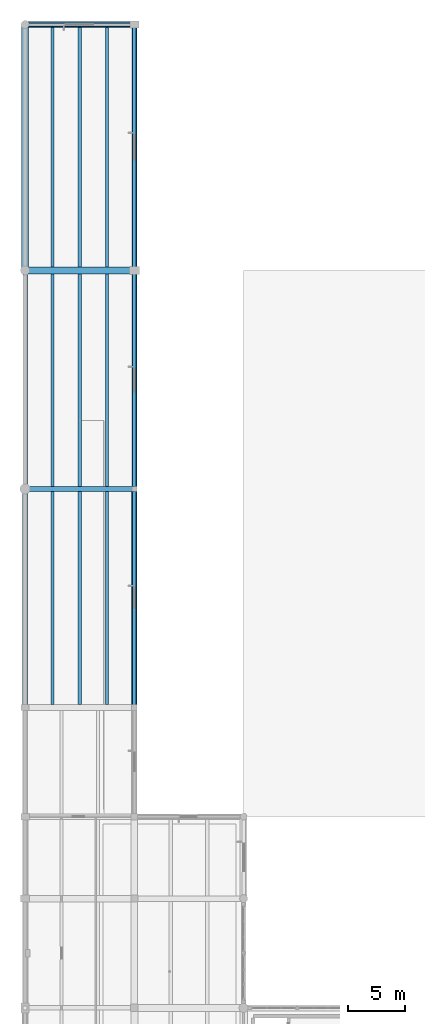
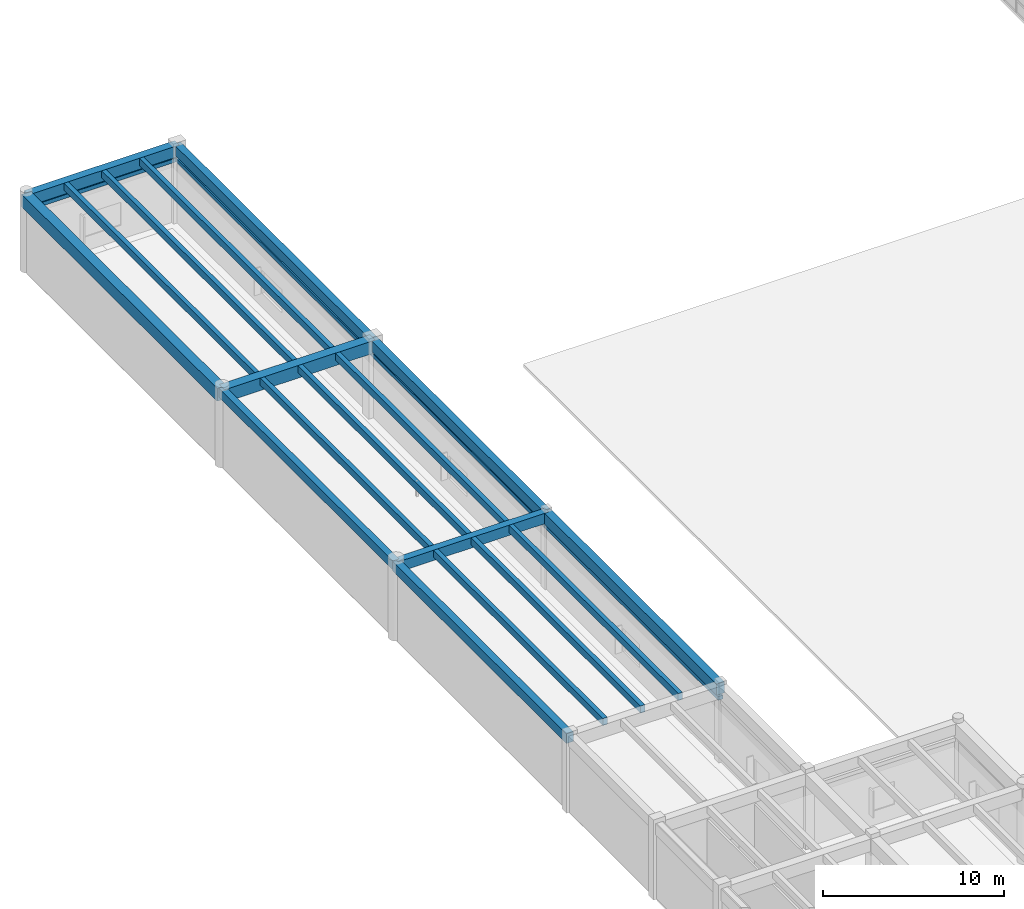
# One storey, part 30 of 138: 22 beams.
"""IFC4 building model written with IfcOpenShell, lengths in metres."""

from ifc_helpers import new_model, si_unit, direction, frame, origin, origin_2d, place, context, subcontext, project, spatial, rectangle, extrude, material, material_profile, profile_set, type_object, element, save


model = new_model("IFC4")

# Units and contexts
model_context = context("Model", 3, precision=1e-05, world=origin(), true_north=direction((0.0, 1.0)))
body_context = subcontext(model_context, "Body", "Model", "MODEL_VIEW")
ifc_project = project(units=[si_unit("LENGTHUNIT", "METRE"), si_unit("AREAUNIT", "SQUARE_METRE"), si_unit("VOLUMEUNIT", "CUBIC_METRE"), si_unit("PLANEANGLEUNIT", "RADIAN"), si_unit("MASSUNIT", "GRAM", prefix="KILO")], contexts=[model_context])

# Site, building, storey
site_placement = place(None, origin())
site = spatial("IfcSite", under=ifc_project, at=site_placement, CompositionType="ELEMENT")
building_placement = place(site_placement, origin())
building = spatial("IfcBuilding", under=site, at=building_placement, Name="Fikremerkos Civic Library", CompositionType="ELEMENT")
storey_placement = place(building_placement, origin())
storey = spatial("IfcBuildingStorey", under=building, at=storey_placement, Name="L00", CompositionType="ELEMENT", Elevation=0.0)

# Beams
ifc_material = material(Name="Concrete C40/50", Category="concrete")
ifc_material_profile_1 = material_profile(ifc_material, rectangle(XDim=0.280029296875, YDim=0.47998046875, at=origin_2d()), Name="RC 280x480")
ifc_profile_set_1 = profile_set([ifc_material_profile_1], Name="Concrete C40/50")
beam_type_1 = type_object("IfcBeamType", Name="Floor joist JS-04 RC 280x480", PredefinedType="JOIST", material=ifc_profile_set_1)
for number, where, z_axis, x_axis, name in (
    (1, (2.39990234375, 57.875, 4.919921875), (0.0, 1.0, 0.0), (-1.0, 0.0, 0.0), "Floor joist JS-04 L00 #281"),
    (2, (4.800048828125, 57.875, 4.919921875), (0.0, 1.0, 0.0), (-1.0, 0.0, 0.0), "Floor joist JS-04 L00 #282"),
    (3, (7.199951171875, 57.875, 4.919921875), (0.0, 1.0, 0.0), (-1.0, 0.0, 0.0), "Floor joist JS-04 L00 #283"),
):
    element("IfcBeam", number, at=place(storey_placement, frame(where, z_axis=z_axis, x_axis=x_axis)), inside=storey, type_object=beam_type_1, Name=name, PredefinedType="JOIST", context=body_context, shape_type="SweptSolid", body=[
        extrude(rectangle(XDim=0.280029296875, YDim=0.47998046875, at=origin_2d()), origin(), (0.0, 0.0, 1.0), 18.699951171875),
    ])
for number, where, z_axis, x_axis, name in (
    (4, (2.39990234375, 77.02490234375, 4.919921875), (0.0, 1.0, 0.0), (-1.0, 0.0, 0.0), "Floor joist JS-04 L00 #284"),
    (5, (4.800048828125, 77.02490234375, 4.919921875), (0.0, 1.0, 0.0), (-1.0, 0.0, 0.0), "Floor joist JS-04 L00 #285"),
    (6, (7.199951171875, 77.02490234375, 4.919921875), (0.0, 1.0, 0.0), (-1.0, 0.0, 0.0), "Floor joist JS-04 L00 #286"),
):
    element("IfcBeam", number, at=place(storey_placement, frame(where, z_axis=z_axis, x_axis=x_axis)), inside=storey, type_object=beam_type_1, Name=name, PredefinedType="JOIST", context=body_context, shape_type="SweptSolid", body=[
        extrude(rectangle(XDim=0.280029296875, YDim=0.47998046875, at=origin_2d()), origin(), (0.0, 0.0, 1.0), 18.675048828125),
    ])
for number, where, z_axis, x_axis, name in (
    (7, (2.39990234375, 96.300048828125, 4.919921875), (0.0, 1.0, 0.0), (-1.0, 0.0, 0.0), "Floor joist JS-04 L00 #287"),
    (8, (4.800048828125, 96.300048828125, 4.919921875), (0.0, 1.0, 0.0), (-1.0, 0.0, 0.0), "Floor joist JS-04 L00 #288"),
    (9, (7.199951171875, 96.300048828125, 4.919921875), (0.0, 1.0, 0.0), (-1.0, 0.0, 0.0), "Floor joist JS-04 L00 #289"),
):
    element("IfcBeam", number, at=place(storey_placement, frame(where, z_axis=z_axis, x_axis=x_axis)), inside=storey, type_object=beam_type_1, Name=name, PredefinedType="JOIST", context=body_context, shape_type="SweptSolid", body=[
        extrude(rectangle(XDim=0.280029296875, YDim=0.47998046875, at=origin_2d()), origin(), (0.0, 0.0, 1.0), 21.050048828125),
    ])
ifc_material_profile_2 = material_profile(ifc_material, rectangle(XDim=0.300048828125, YDim=0.260009765625, at=origin_2d()), Name="RC 300x260")
ifc_profile_set_2 = profile_set([ifc_material_profile_2], Name="Concrete C40/50")
beam_type_2 = type_object("IfcBeamType", Name="Opening lintel LNT-02 RC 300x260", PredefinedType="LINTEL", material=ifc_profile_set_2)
beam_1_placement = place(storey_placement, frame((0.0, 117.60009765625, 4.14990234375), z_axis=(1.0, 0.0, 0.0), x_axis=(0.0, 1.0, 0.0)))
element("IfcBeam", 10, at=beam_1_placement, inside=storey, type_object=beam_type_2, Name="Courtyard window head lintel LNT-02 L00 #1", PredefinedType="LINTEL", context=body_context, shape_type="SweptSolid", body=[
    extrude(rectangle(XDim=0.300048828125, YDim=0.260009765625, at=origin_2d()), origin(), (0.0, 0.0, 1.0), 9.60009765625),
])
beam_2_placement = place(storey_placement, frame((9.60009765625, 117.60009765625, 4.14990234375), z_axis=(0.0, -1.0, 0.0), x_axis=(1.0, 0.0, 0.0)))
element("IfcBeam", 11, at=beam_2_placement, inside=storey, type_object=beam_type_2, Name="Courtyard window head lintel LNT-02 L00 #2", PredefinedType="LINTEL", context=body_context, shape_type="SweptSolid", body=[
    extrude(rectangle(XDim=0.300048828125, YDim=0.260009765625, at=origin_2d()), origin(), (0.0, 0.0, 1.0), 21.60009765625),
])
for number, where, z_axis, x_axis, name in (
    (12, (9.60009765625, 96.0, 4.14990234375), (0.0, -1.0, 0.0), (1.0, 0.0, 0.0), "Courtyard window head lintel LNT-02 L00 #3"),
    (13, (9.60009765625, 76.800048828125, 4.14990234375), (0.0, -1.0, 0.0), (1.0, 0.0, 0.0), "Courtyard window head lintel LNT-02 L00 #4"),
):
    element("IfcBeam", number, at=place(storey_placement, frame(where, z_axis=z_axis, x_axis=x_axis)), inside=storey, type_object=beam_type_2, Name=name, PredefinedType="LINTEL", context=body_context, shape_type="SweptSolid", body=[
        extrude(rectangle(XDim=0.300048828125, YDim=0.260009765625, at=origin_2d()), origin(), (0.0, 0.0, 1.0), 19.199951171875),
    ])
ifc_material_profile_3 = material_profile(ifc_material, rectangle(XDim=0.5, YDim=0.75, at=origin_2d()), Name="RC 500x750")
ifc_profile_set_3 = profile_set([ifc_material_profile_3], Name="Concrete C40/50")
beam_type_3 = type_object("IfcBeamType", Name="Primary girder BM-05 RC 500x750", PredefinedType="BEAM", material=ifc_profile_set_3)
beam_3_placement = place(storey_placement, frame((0.0, 117.60009765625, 4.784912109375), z_axis=(1.0, 0.0, 0.0), x_axis=(0.0, 1.0, 0.0)))
element("IfcBeam", 14, at=beam_3_placement, inside=storey, type_object=beam_type_3, Name="Primary girder BM-05 L00 grid N", PredefinedType="BEAM", context=body_context, shape_type="SweptSolid", body=[
    extrude(rectangle(XDim=0.5, YDim=0.75, at=origin_2d()), origin(), (0.0, 0.0, 1.0), 9.60009765625),
])
beam_4_placement = place(storey_placement, frame((9.60009765625, 57.60009765625, 4.784912109375), z_axis=(0.0, 1.0, 0.0), x_axis=(-1.0, 0.0, 0.0)))
element("IfcBeam", 15, at=beam_4_placement, inside=storey, type_object=beam_type_3, Name="Primary girder BM-05 L00 grid 2", PredefinedType="BEAM", context=body_context, shape_type="SweptSolid", body=[
    extrude(rectangle(XDim=0.5, YDim=0.75, at=origin_2d()), origin(), (0.0, 0.0, 1.0), 19.199951171875),
])
ifc_material_profile_4 = material_profile(ifc_material, rectangle(XDim=0.449951171875, YDim=0.699951171875, at=origin_2d()), Name="RC 450x700")
ifc_profile_set_4 = profile_set([ifc_material_profile_4], Name="Concrete C40/50")
beam_type_4 = type_object("IfcBeamType", Name="Primary girder BM-06 RC 450x700", PredefinedType="BEAM", material=ifc_profile_set_4)
beam_5_placement = place(storey_placement, frame((0.0, 76.800048828125, 4.81005859375), z_axis=(1.0, 0.0, 0.0), x_axis=(0.0, 1.0, 0.0)))
element("IfcBeam", 16, at=beam_5_placement, inside=storey, type_object=beam_type_4, Name="Primary girder BM-06 L00 grid L", PredefinedType="BEAM", context=body_context, shape_type="SweptSolid", body=[
    extrude(rectangle(XDim=0.449951171875, YDim=0.699951171875, at=origin_2d()), origin(), (0.0, 0.0, 1.0), 9.60009765625),
])
beam_6_placement = place(storey_placement, frame((9.60009765625, 76.800048828125, 4.81005859375), z_axis=(0.0, 1.0, 0.0), x_axis=(-1.0, 0.0, 0.0)))
element("IfcBeam", 17, at=beam_6_placement, inside=storey, type_object=beam_type_4, Name="Primary girder BM-06 L00 grid 2", PredefinedType="BEAM", context=body_context, shape_type="SweptSolid", body=[
    extrude(rectangle(XDim=0.449951171875, YDim=0.699951171875, at=origin_2d()), origin(), (0.0, 0.0, 1.0), 19.199951171875),
])
ifc_material_profile_5 = material_profile(ifc_material, rectangle(XDim=0.449951171875, YDim=0.64990234375, at=origin_2d()), Name="RC 450x650")
ifc_profile_set_5 = profile_set([ifc_material_profile_5], Name="Concrete C40/50")
beam_type_5 = type_object("IfcBeamType", Name="Primary girder BM-07 RC 450x650", PredefinedType="BEAM", material=ifc_profile_set_5)
beam_7_placement = place(storey_placement, frame((0.0, 57.60009765625, 4.8349609375), z_axis=(0.0, 1.0, 0.0), x_axis=(-1.0, 0.0, 0.0)))
element("IfcBeam", 18, at=beam_7_placement, inside=storey, type_object=beam_type_5, Name="Primary girder BM-07 L00 grid 1", PredefinedType="BEAM", context=body_context, shape_type="SweptSolid", body=[
    extrude(rectangle(XDim=0.449951171875, YDim=0.64990234375, at=origin_2d()), origin(), (0.0, 0.0, 1.0), 19.199951171875),
])
beam_8_placement = place(storey_placement, frame((9.60009765625, 96.0, 4.8349609375), z_axis=(0.0, 1.0, 0.0), x_axis=(-1.0, 0.0, 0.0)))
element("IfcBeam", 19, at=beam_8_placement, inside=storey, type_object=beam_type_5, Name="Primary girder BM-07 L00 grid 2", PredefinedType="BEAM", context=body_context, shape_type="SweptSolid", body=[
    extrude(rectangle(XDim=0.449951171875, YDim=0.64990234375, at=origin_2d()), origin(), (0.0, 0.0, 1.0), 21.60009765625),
])
ifc_material_profile_6 = material_profile(ifc_material, rectangle(XDim=0.39990234375, YDim=0.60009765625, at=origin_2d()), Name="RC 400x600")
ifc_profile_set_6 = profile_set([ifc_material_profile_6], Name="Concrete C40/50")
beam_type_6 = type_object("IfcBeamType", Name="Primary girder BM-08 RC 400x600", PredefinedType="BEAM", material=ifc_profile_set_6)
beam_9_placement = place(storey_placement, frame((0.0, 76.800048828125, 4.860107421875), z_axis=(0.0, 1.0, 0.0), x_axis=(-1.0, 0.0, 0.0)))
element("IfcBeam", 20, at=beam_9_placement, inside=storey, type_object=beam_type_6, Name="Primary girder BM-08 L00 grid 1", PredefinedType="BEAM", context=body_context, shape_type="SweptSolid", body=[
    extrude(rectangle(XDim=0.39990234375, YDim=0.60009765625, at=origin_2d()), origin(), (0.0, 0.0, 1.0), 19.199951171875),
])
ifc_material_profile_7 = material_profile(ifc_material, rectangle(XDim=0.60009765625, YDim=0.85009765625, at=origin_2d()), Name="RC 600x850")
ifc_profile_set_7 = profile_set([ifc_material_profile_7], Name="Concrete C40/50")
beam_type_7 = type_object("IfcBeamType", Name="Primary girder BM-24 RC 600x850", PredefinedType="BEAM", material=ifc_profile_set_7)
beam_10_placement = place(storey_placement, frame((0.0, 96.0, 4.735107421875), z_axis=(1.0, 0.0, 0.0), x_axis=(0.0, 1.0, 0.0)))
element("IfcBeam", 21, at=beam_10_placement, inside=storey, type_object=beam_type_7, Name="Primary girder BM-24 L00 grid M", PredefinedType="BEAM", context=body_context, shape_type="SweptSolid", body=[
    extrude(rectangle(XDim=0.60009765625, YDim=0.85009765625, at=origin_2d()), origin(), (0.0, 0.0, 1.0), 9.60009765625),
])
beam_11_placement = place(storey_placement, frame((0.0, 96.0, 4.735107421875), z_axis=(0.0, 1.0, 0.0), x_axis=(-1.0, 0.0, 0.0)))
element("IfcBeam", 22, at=beam_11_placement, inside=storey, type_object=beam_type_7, Name="Primary girder BM-24 L00 grid 1", PredefinedType="BEAM", context=body_context, shape_type="SweptSolid", body=[
    extrude(rectangle(XDim=0.60009765625, YDim=0.85009765625, at=origin_2d()), origin(), (0.0, 0.0, 1.0), 21.60009765625),
])

save(model, "model.ifc")
